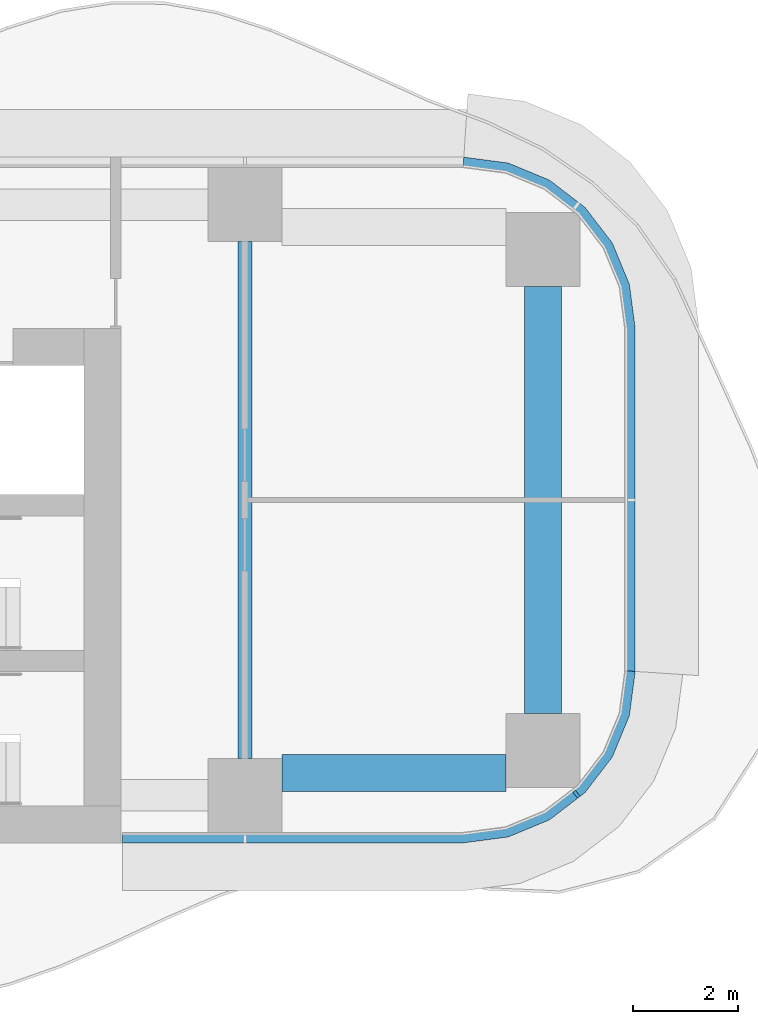
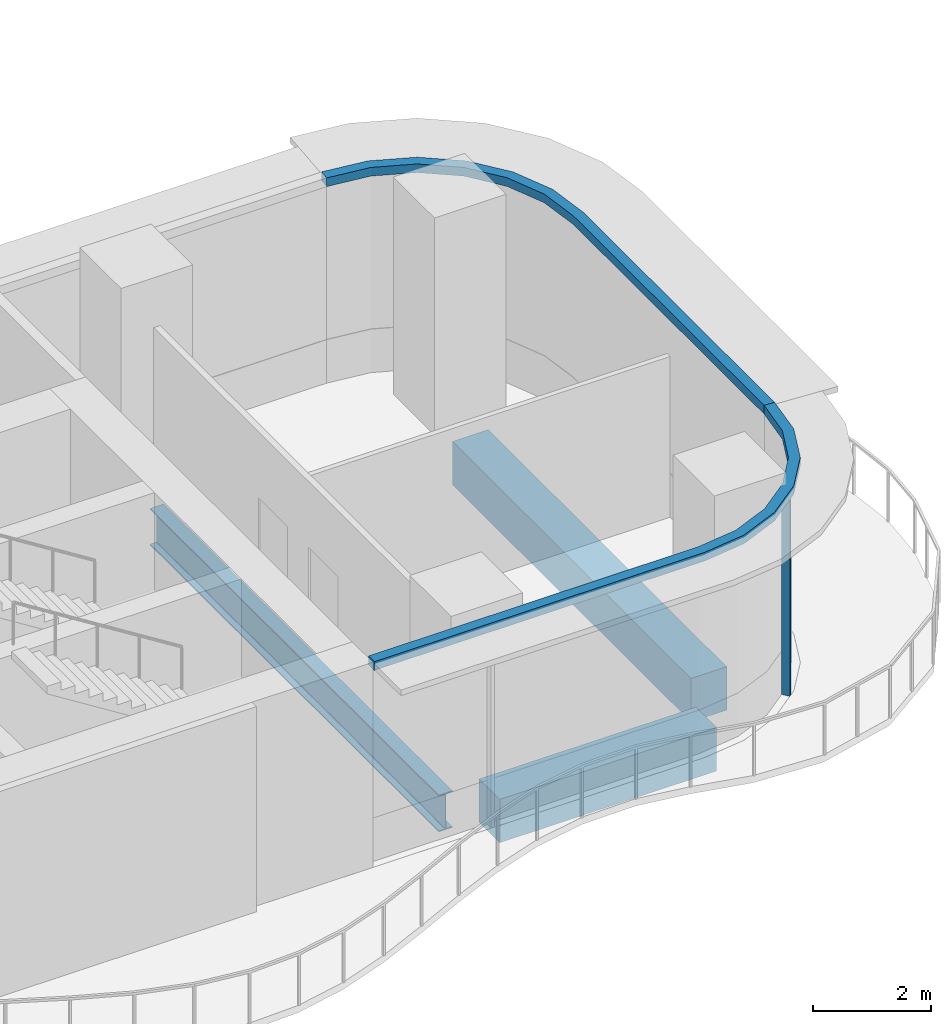
# One storey, part 7 of 22: 3 beams, 3 members, 2 elements without a shape of their own.
"""IFC4 building model written with IfcOpenShell, lengths in metres."""

from ifc_helpers import new_model, si_unit, direction, frame, origin, origin_2d, place, context, subcontext, project, spatial, polyline, rectangle, i_section, outline, extrude, source, transform, mapped, material, layer, layer_set, material_profile, profile_set, type_object, element, aggregate, save


model = new_model("IFC4")

# Units and contexts
model_context = context("Model", 3, precision=1e-05, world=origin(), true_north=direction((0.0, 1.0)))
body_context = subcontext(model_context, "Body", "Model", "MODEL_VIEW")
ifc_project = project(units=[si_unit("LENGTHUNIT", "METRE"), si_unit("AREAUNIT", "SQUARE_METRE"), si_unit("VOLUMEUNIT", "CUBIC_METRE"), si_unit("PLANEANGLEUNIT", "RADIAN"), si_unit("MASSUNIT", "GRAM", prefix="KILO")], contexts=[model_context])

# Site, building, storey
site_placement = place(None, origin())
site = spatial("IfcSite", under=ifc_project, at=site_placement, CompositionType="ELEMENT")
building_placement = place(site_placement, origin())
building = spatial("IfcBuilding", under=site, at=building_placement, Name="Trellis Farm Tower", CompositionType="ELEMENT")
storey_placement = place(building_placement, frame((0.0, 0.0, 47.5)))
storey = spatial("IfcBuildingStorey", under=building, at=storey_placement, Name="L09", CompositionType="ELEMENT", Elevation=47.5)

# Beams
ifc_material_1 = material(Name="Steel S355", Category="steel")
ifc_material_profile_1 = material_profile(ifc_material_1, i_section(OverallWidth=0.2666015625, OverallDepth=0.76220703125, WebThickness=0.014404296875, FlangeThickness=0.021484375, FilletRadius=0.0166015625, at=origin_2d()), Name="UB 762x267x173")
ifc_profile_set_1 = profile_set([ifc_material_profile_1], Name="Steel S355")
beam_type_1 = type_object("IfcBeamType", Name="UB 762x267x173", PredefinedType="BEAM", material=ifc_profile_set_1)
shared_shape_1 = source(origin(), body_context, "Body", "SweptSolid", [
    extrude(i_section(OverallWidth=0.2666015625, OverallDepth=0.76220703125, WebThickness=0.014404296875, FlangeThickness=0.021484375, FilletRadius=0.0166015625, at=origin_2d()), origin(), (0.0, 0.0, 1.0), 9.7998046875),
])
beam_1_placement = place(storey_placement, frame((25.10009765625, -4.89990234375, -0.631103515625), z_axis=(0.0, 1.0, 0.0), x_axis=(-1.0, 0.0, 0.0)))
element("IfcBeam", 1, at=beam_1_placement, inside=storey, type_object=beam_type_1, Name="Girder", PredefinedType="BEAM", context=body_context, shape_type="MappedRepresentation", body=[
    mapped(shared_shape_1, transform((0.0, 0.0, 0.0))),
])
ifc_material_2 = material(Name="Concrete C60/75", Category="concrete")
ifc_material_profile_2 = material_profile(ifc_material_2, rectangle(XDim=0.699951171875, YDim=0.89990234375, at=origin_2d()), Name="RC spandrel beam 700x900 C60/75")
ifc_profile_set_2 = profile_set([ifc_material_profile_2], Name="Concrete C60/75")
beam_type_2 = type_object("IfcBeamType", Name="RC spandrel beam 700x900 C60/75", PredefinedType="SPANDREL", material=ifc_profile_set_2)
shared_shape_2 = source(origin(), body_context, "Body", "SweptSolid", [
    extrude(rectangle(XDim=0.699951171875, YDim=0.89990234375, at=origin_2d()), origin(), (0.0, 0.0, 1.0), 4.25),
])
beam_2_placement = place(storey_placement, frame((25.800048828125, -5.175048828125, -0.699951171875), z_axis=(1.0, 0.0, 0.0), x_axis=(0.0, 1.0, 0.0)))
element("IfcBeam", 2, at=beam_2_placement, inside=storey, type_object=beam_type_2, Name="Girder", PredefinedType="SPANDREL", context=body_context, shape_type="MappedRepresentation", body=[
    mapped(shared_shape_2, transform((0.0, 0.0, 0.0))),
])
shared_shape_3 = source(origin(), body_context, "Body", "SweptSolid", [
    extrude(rectangle(XDim=0.699951171875, YDim=0.89990234375, at=origin_2d()), origin(), (0.0, 0.0, 1.0), 8.10009765625),
])
beam_3_placement = place(storey_placement, frame((30.75, -4.050048828125, -0.699951171875), z_axis=(0.0, 1.0, 0.0), x_axis=(-1.0, 0.0, 0.0)))
element("IfcBeam", 3, at=beam_3_placement, inside=storey, type_object=beam_type_2, Name="Girder", PredefinedType="SPANDREL", context=body_context, shape_type="MappedRepresentation", body=[
    mapped(shared_shape_3, transform((0.0, 0.0, 0.0))),
])

# Curtain wall, members
ifc_material_3 = material(Name="Aluminium and glass curtain wall", Category="aluminium")
ifc_layer_1 = layer(ifc_material_3, 0.18994140625)
ifc_layer_set_1 = layer_set([ifc_layer_1], Name="RIBBON CURTAIN WALL CW1")
curtain_wall_type = type_object("IfcCurtainWallType", Name="RIBBON CURTAIN WALL CW1", PredefinedType="NOTDEFINED", material=ifc_layer_set_1)
placement_1 = place(storey_placement, origin())
curtain_wall_1 = element("IfcCurtainWall", 4, at=placement_1, inside=storey, type_object=curtain_wall_type, Name="CW1 005", PredefinedType="NOTDEFINED")
ifc_material_4 = material(Name="Aluminium extrusion 6063-T6", Category="aluminium")
ifc_material_profile_3 = material_profile(ifc_material_4, rectangle(XDim=0.06005859375, YDim=0.14990234375, at=origin_2d()), Name="MULLION 60x150")
ifc_profile_set_3 = profile_set([ifc_material_profile_3], Name="Aluminium extrusion 6063-T6")
member_type_1 = type_object("IfcMemberType", Name="CW1 MULLION 60x150", PredefinedType="MULLION", material=ifc_profile_set_3)
shared_shape_4 = source(origin(), body_context, "Body", "SweptSolid", [
    extrude(rectangle(XDim=0.06005859375, YDim=0.14990234375, at=origin_2d()), origin(), (0.0, 0.0, 1.0), 4.070068359375),
])
member_1_placement = place(storey_placement, frame((31.385498046875, -5.578369140625, 0.0), z_axis=(0.0, 0.0, 1.0), x_axis=(0.793353340291, 0.608761429009, 0.0)))
member_1 = element("IfcMember", 5, at=member_1_placement, type_object=member_type_1, Name="MU1 005-02", PredefinedType="MULLION", context=body_context, shape_type="MappedRepresentation", body=[
    mapped(shared_shape_4, transform((0.0, 0.0, 0.0))),
])
ifc_layer_2 = layer(ifc_material_4, 0.199951171875)
ifc_layer_set_2 = layer_set([ifc_layer_2], Name="Aluminium extrusion 6063-T6")
member_type_2 = type_object("IfcMemberType", Name="CW1 TRANSOM 200x180", PredefinedType="USERDEFINED", material=ifc_layer_set_2)
shared_shape_5 = source(origin(), body_context, "Body", "SweptSolid", [
    extrude(outline(polyline([(22.780029296875, -6.5), (29.25, -6.5), (30.091064453125, -6.38916015625), (30.875, -6.064697265625), (31.548095703125, -5.548095703125), (32.064697265625, -4.875), (32.38916015625, -4.091064453125), (32.5, -3.25), (32.300048828125, -3.23681640625), (32.1943359375, -4.0390625), (31.889892578125, -4.774169921875), (31.405517578125, -5.405517578125), (30.774169921875, -5.889892578125), (30.0390625, -6.1943359375), (29.23681640625, -6.300048828125), (22.780029296875, -6.300048828125), (22.780029296875, -6.5)])), origin(), (0.0, 0.0, 1.0), 0.179931640625),
])
placement_2 = place(storey_placement, frame((0.0, 0.0, 4.070068359375)))
member_2 = element("IfcMember", 6, at=placement_2, type_object=member_type_2, Name="TR1 005", ObjectType="TRANSOM", PredefinedType="USERDEFINED", context=body_context, shape_type="MappedRepresentation", body=[
    mapped(shared_shape_5, transform((0.0, 0.0, 0.0))),
])
aggregate(curtain_wall_1, [member_1, member_2])

# Curtain wall, member
curtain_wall_2 = element("IfcCurtainWall", 7, at=placement_1, inside=storey, type_object=curtain_wall_type, Name="CW1 006", PredefinedType="NOTDEFINED")
shared_shape_6 = source(origin(), body_context, "Body", "SweptSolid", [
    extrude(outline(polyline([(32.5, -3.25), (32.5, 3.25), (32.38916015625, 4.091064453125), (32.064697265625, 4.875), (31.548095703125, 5.548095703125), (30.875, 6.064697265625), (30.091064453125, 6.38916015625), (29.25, 6.5), (29.23681640625, 6.300048828125), (30.0390625, 6.1943359375), (30.774169921875, 5.889892578125), (31.405517578125, 5.405517578125), (31.889892578125, 4.774169921875), (32.1943359375, 4.0390625), (32.300048828125, 3.23681640625), (32.300048828125, -3.23681640625), (32.5, -3.25)])), origin(), (0.0, 0.0, 1.0), 0.179931640625),
])
member_3 = element("IfcMember", 8, at=placement_2, type_object=member_type_2, Name="TR1 006", ObjectType="TRANSOM", PredefinedType="USERDEFINED", context=body_context, shape_type="MappedRepresentation", body=[
    mapped(shared_shape_6, transform((0.0, 0.0, 0.0))),
])
aggregate(curtain_wall_2, [member_3])

save(model, "model.ifc")
